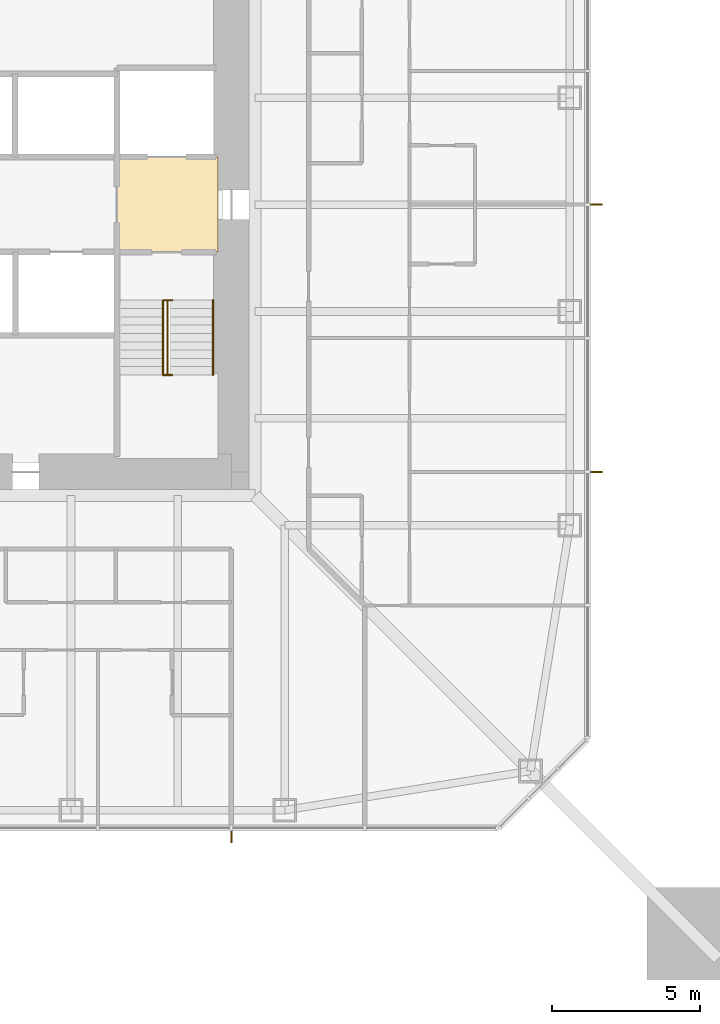
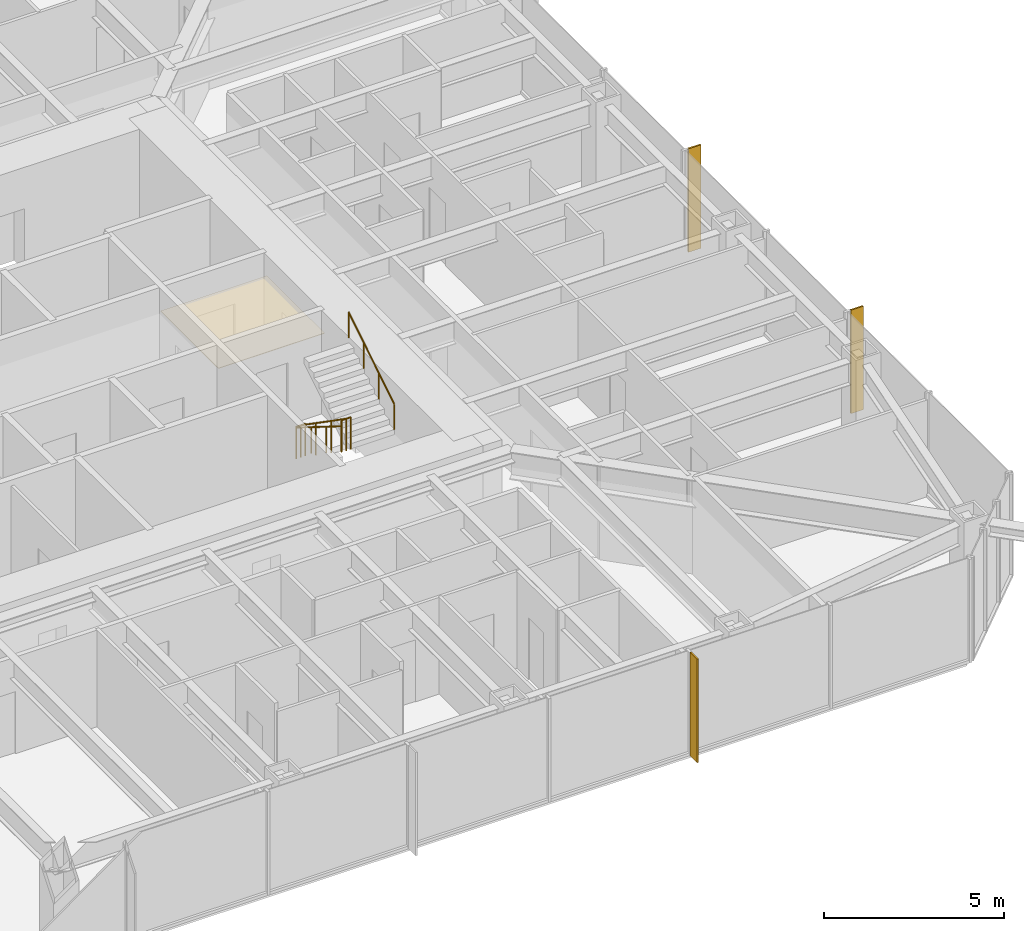
# One storey, part 13 of 14: 3 railings, 3 shading devices, 1 covering.
"""IFC4 building model written with IfcOpenShell, lengths in metres."""

from ifc_helpers import new_model, si_unit, direction, frame, origin, origin_2d, place, context, subcontext, project, spatial, polyline, rectangle, circle, outline, extrude, material, layer, layer_set, constituent, constituent_set, type_object, element, save


model = new_model("IFC4")

# Units and contexts
model_context = context("Model", 3, precision=1e-05, world=origin(), true_north=direction((0.0, 1.0)))
body_context = subcontext(model_context, "Body", "Model", "MODEL_VIEW")
ifc_project = project(units=[si_unit("LENGTHUNIT", "METRE"), si_unit("AREAUNIT", "SQUARE_METRE"), si_unit("VOLUMEUNIT", "CUBIC_METRE"), si_unit("PLANEANGLEUNIT", "RADIAN"), si_unit("MASSUNIT", "GRAM", prefix="KILO")], contexts=[model_context])

# Site, building, storey
site_placement = place(None, origin())
site = spatial("IfcSite", under=ifc_project, at=site_placement, CompositionType="ELEMENT")
building_placement = place(site_placement, origin())
building = spatial("IfcBuilding", under=site, at=building_placement, Name="Iwan Alto Co-Living Towers", CompositionType="ELEMENT")
storey_placement = place(building_placement, frame((0.0, 0.0, 136.5)))
storey = spatial("IfcBuildingStorey", under=building, at=storey_placement, Name="L37", CompositionType="ELEMENT", Elevation=136.5)

# Covering
ifc_material_1 = material(Name="Mineral fibre acoustic tiles on steel grid", Category="steel")
ifc_layer_1 = layer(ifc_material_1, 0.02001953125)
ifc_layer_set_1 = layer_set([ifc_layer_1], Name="ACOUSTIC TILE CEILING 20")
covering_type = type_object("IfcCoveringType", Name="ACOUSTIC TILE CEILING 20", PredefinedType="CEILING", material=ifc_layer_set_1)
covering_placement = place(storey_placement, frame((0.0, 0.0, 2.60009765625)))
element("IfcCovering", 1, at=covering_placement, inside=storey, type_object=covering_type, Name="Ceiling Firefighting lobby L37", PredefinedType="CEILING", context=body_context, shape_type="SweptSolid", body=[
    extrude(outline(polyline([(5.14990234375, -1.60009765625), (5.14990234375, 1.60009765625), (8.550048828125, 1.60009765625), (8.550048828125, -1.60009765625), (5.14990234375, -1.60009765625)])), origin(), (0.0, 0.0, 1.0), 0.02001953125),
])

# Shading devices
ifc_material_2 = material(Name="Aluminium 6063-T6 bronze anodised", Category="aluminium")
ifc_layer_2 = layer(ifc_material_2, 0.050048828125)
ifc_layer_set_2 = layer_set([ifc_layer_2], Name="BRONZE FIN 50X400")
shading_device_type = type_object("IfcShadingDeviceType", Name="BRONZE FIN 50X400", PredefinedType="USERDEFINED", material=ifc_layer_set_2)
for number, where, z_axis, x_axis, name in (
    (2, (9.0, -21.300048828125, 0.0), (0.0, 0.0, 1.0), (1.0, 0.0, 0.0), "Bronze fin L37"),
    (3, (21.300048828125, -9.0, 0.0), (0.0, 0.0, 1.0), (0.0, 1.0, 0.0), "Bronze fin L37"),
    (4, (21.300048828125, 0.0, 0.0), (0.0, 0.0, 1.0), (0.0, 1.0, 0.0), "Bronze fin L37"),
):
    element("IfcShadingDevice", number, at=place(storey_placement, frame(where, z_axis=z_axis, x_axis=x_axis)), inside=storey, type_object=shading_device_type, Name=name, ObjectType="LOUVER", PredefinedType="USERDEFINED", context=body_context, shape_type="SweptSolid", body=[
        extrude(rectangle(XDim=0.050048828125, YDim=0.39990234375, at=origin_2d()), origin(), (0.0, 0.0, 1.0), 3.5),
    ])

# Railings
ifc_material_3 = material(Name="Steel ASTM A500 Gr C", Category="steel")
ifc_constituent_1 = constituent(ifc_material_3, Name="Rails and posts", Category="Framing")
ifc_material_4 = material(Name="Steel ASTM A36", Category="steel")
ifc_constituent_2 = constituent(ifc_material_4, Name="Bar infill", Category="Infill")
ifc_constituent_set = constituent_set(constituents=[ifc_constituent_1, ifc_constituent_2], Name="STAIR GUARD 1100")
railing_type_1 = type_object("IfcRailingType", Name="STAIR GUARD 1100", PredefinedType="GUARDRAIL", material=ifc_constituent_set)
railing_1_placement = place(storey_placement, frame((6.85009765625, -3.219970703125, 0.0)))
element("IfcRailing", 5, at=railing_1_placement, inside=storey, type_object=railing_type_1, Name="Stair T1-S2 well guard L37", PredefinedType="GUARDRAIL", context=body_context, shape_type="SweptSolid", body=[
    extrude(circle(Radius=0.02392578125, at=origin_2d()), frame((0.0, 0.0, 1.076171875), z_axis=(0.0, -0.821372036852, 0.570392826987), x_axis=(1.0, 0.0, 0.0)), (0.0, 0.0, 1.0), 3.068115234375),
    extrude(circle(Radius=0.02392578125, at=origin_2d()), frame((-0.150146484375, 0.0, 1.076171875), z_axis=(1.0, 0.0, 0.0), x_axis=(0.0, 1.0, 0.0)), (0.0, 0.0, 1.0), 0.300048828125),
    extrude(circle(Radius=0.02392578125, at=origin_2d()), frame((-0.150146484375, -2.52001953125, 2.826171875), z_axis=(1.0, 0.0, 0.0), x_axis=(0.0, 1.0, 0.0)), (0.0, 0.0, 1.0), 0.300048828125),
    extrude(circle(Radius=0.02099609375, at=origin_2d()), origin(), (0.0, 0.0, 1.0), 1.052001953125),
    extrude(circle(Radius=0.02099609375, at=origin_2d()), frame((0.0, -0.840087890625, 0.583251953125)), (0.0, 0.0, 1.0), 1.052001953125),
    extrude(circle(Radius=0.02099609375, at=origin_2d()), frame((0.0, -1.679931640625, 1.166748046875)), (0.0, 0.0, 1.0), 1.052001953125),
    extrude(circle(Radius=0.02099609375, at=origin_2d()), frame((0.0, -2.52001953125, 1.75)), (0.0, 0.0, 1.0), 1.052001953125),
    extrude(circle(Radius=0.02099609375, at=origin_2d()), frame((-0.150146484375, 0.0, 0.0)), (0.0, 0.0, 1.0), 1.052001953125),
    extrude(circle(Radius=0.02099609375, at=origin_2d()), frame((0.14990234375, 0.0, 0.0)), (0.0, 0.0, 1.0), 1.052001953125),
    extrude(circle(Radius=0.02099609375, at=origin_2d()), frame((-0.150146484375, -2.52001953125, 1.75)), (0.0, 0.0, 1.0), 1.052001953125),
    extrude(circle(Radius=0.02099609375, at=origin_2d()), frame((0.14990234375, -2.52001953125, 1.75)), (0.0, 0.0, 1.0), 1.052001953125),
])
ifc_material_5 = material(Name="Steel ASTM A500 Gr C", Category="steel")
railing_type_2 = type_object("IfcRailingType", Name="STAIR HANDRAIL 900", PredefinedType="HANDRAIL", material=ifc_material_5)
railing_2_placement = place(storey_placement, frame((6.699951171875, -3.219970703125, 0.175048828125)))
element("IfcRailing", 6, at=railing_2_placement, inside=storey, type_object=railing_type_2, Name="Stair T1-S2 handrail 1 L37", PredefinedType="HANDRAIL", context=body_context, shape_type="SweptSolid", body=[
    extrude(circle(Radius=0.02392578125, at=origin_2d()), frame((0.0, 0.0, 0.8759765625), z_axis=(0.0, -0.848007534815, 0.529984170421), x_axis=(1.0, 0.0, 0.0)), (0.0, 0.0, 1.0), 2.9716796875),
    extrude(circle(Radius=0.02099609375, at=origin_2d()), origin(), (0.0, 0.0, 1.0), 0.851806640625),
    extrude(circle(Radius=0.02099609375, at=origin_2d()), frame((0.0, -0.840087890625, 0.52490234375)), (0.0, 0.0, 1.0), 0.851806640625),
    extrude(circle(Radius=0.02099609375, at=origin_2d()), frame((0.0, -1.679931640625, 1.050048828125)), (0.0, 0.0, 1.0), 0.851806640625),
    extrude(circle(Radius=0.02099609375, at=origin_2d()), frame((0.0, -2.52001953125, 1.574951171875)), (0.0, 0.0, 1.0), 0.851806640625),
])
railing_3_placement = place(storey_placement, frame((8.3798828125, -5.739990234375, 1.925048828125)))
element("IfcRailing", 7, at=railing_3_placement, inside=storey, type_object=railing_type_2, Name="Stair T1-S2 handrail 2 L37", PredefinedType="HANDRAIL", context=body_context, shape_type="SweptSolid", body=[
    extrude(circle(Radius=0.02392578125, at=origin_2d()), frame((0.0, 0.0, 0.8759765625), z_axis=(0.0, 0.848007534815, 0.529984170421), x_axis=(-1.0, 0.0, 0.0)), (0.0, 0.0, 1.0), 2.9716796875),
    extrude(circle(Radius=0.02099609375, at=origin_2d()), origin(), (0.0, 0.0, 1.0), 0.851806640625),
    extrude(circle(Radius=0.02099609375, at=origin_2d()), frame((0.0, 0.840087890625, 0.52490234375)), (0.0, 0.0, 1.0), 0.851806640625),
    extrude(circle(Radius=0.02099609375, at=origin_2d()), frame((0.0, 1.679931640625, 1.050048828125)), (0.0, 0.0, 1.0), 0.851806640625),
    extrude(circle(Radius=0.02099609375, at=origin_2d()), frame((0.0, 2.52001953125, 1.574951171875)), (0.0, 0.0, 1.0), 0.851806640625),
])

save(model, "model.ifc")
